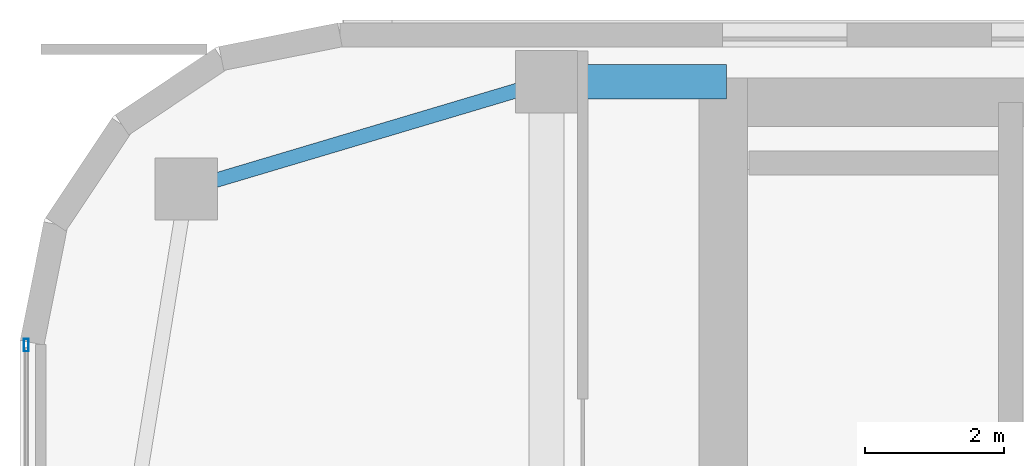
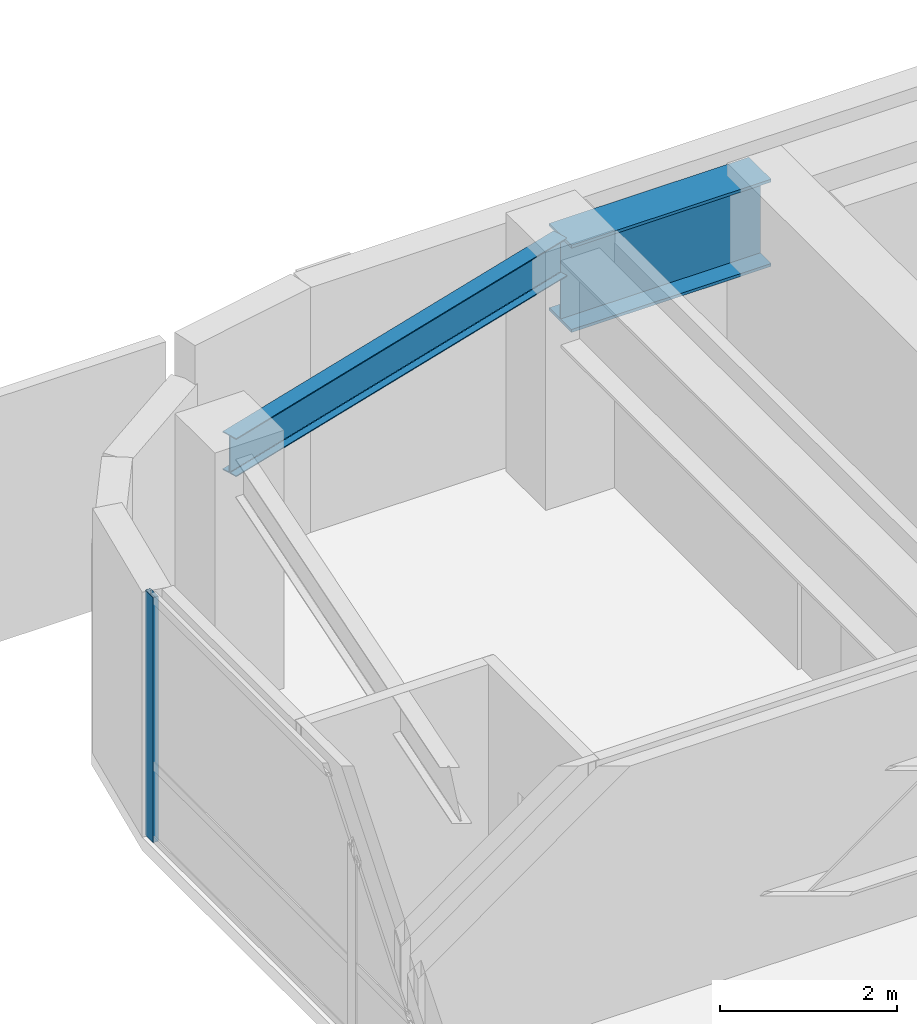
# One storey, part 24 of 37: 2 beams, 1 member, 1 element without a shape of its own.
"""IFC4 building model written with IfcOpenShell, lengths in metres."""

from ifc_helpers import new_model, si_unit, direction, frame, origin, origin_2d, place, context, subcontext, project, spatial, hollow_rectangle, i_section, extrude, source, transform, mapped, material, layer, layer_set, material_profile, profile_set, type_object, type_shapes, element, aggregate, save


model = new_model("IFC4")

# Units and contexts
model_context = context("Model", 3, precision=1e-05, world=origin(), true_north=direction((0.0, 1.0)))
body_context = subcontext(model_context, "Body", "Model", "MODEL_VIEW")
ifc_project = project(units=[si_unit("LENGTHUNIT", "METRE"), si_unit("AREAUNIT", "SQUARE_METRE"), si_unit("VOLUMEUNIT", "CUBIC_METRE"), si_unit("PLANEANGLEUNIT", "RADIAN"), si_unit("MASSUNIT", "GRAM", prefix="KILO")], contexts=[model_context])

# Site, building, storey
site_placement = place(None, origin())
site = spatial("IfcSite", under=ifc_project, at=site_placement, CompositionType="ELEMENT")
building_placement = place(site_placement, origin())
building = spatial("IfcBuilding", under=site, at=building_placement, Name="Tolvann Quenvar Hotel", CompositionType="ELEMENT")
storey_placement = place(building_placement, frame((0.0, 0.0, 104.449951171875)))
storey = spatial("IfcBuildingStorey", under=building, at=storey_placement, Name="L26", CompositionType="ELEMENT", Elevation=104.449951171875)

# Beams
ifc_material_1 = material(Name="Steel Grade 350", Category="steel")
ifc_material_profile_1 = material_profile(ifc_material_1, i_section(OverallWidth=0.208984375, OverallDepth=0.528076171875, WebThickness=0.009521484375, FlangeThickness=0.01318359375, FilletRadius=0.013916015625, at=origin_2d()), Name="530UB82")
ifc_profile_set_1 = profile_set([ifc_material_profile_1], Name="Steel Grade 350")
beam_type_1 = type_object("IfcBeamType", Name="BM_SPAND_530UB82", PredefinedType="SPANDREL", material=ifc_profile_set_1)
shared_shape_1 = source(origin(), body_context, "Body", "SweptSolid", [
    extrude(i_section(OverallWidth=0.208984375, OverallDepth=0.528076171875, WebThickness=0.009521484375, FlangeThickness=0.01318359375, FilletRadius=0.013916015625, at=origin_2d()), origin(), (0.0, 0.0, 1.0), 5.42626953125),
])
type_shapes(beam_type_1, [shared_shape_1])
beam_1_placement = place(storey_placement, frame((2.39990234375, 43.60009765625, 3.10595703125), z_axis=(0.958344815522, 0.285613750654, 0.0), x_axis=(-0.285613750654, 0.958344815522, 0.0)))
element("IfcBeam", 1, at=beam_1_placement, inside=storey, type_object=beam_type_1, Name="BM-L26-FLK-W3", PredefinedType="SPANDREL", context=body_context, shape_type="MappedRepresentation", body=[
    mapped(shared_shape_1, transform((0.0, 0.0, 0.0), x_axis=(1.0, 0.0, 0.0), y_axis=(0.0, 1.0, 0.0), z_axis=(0.0, 0.0, 1.0), scale=1.0)),
])
ifc_material_profile_2 = material_profile(ifc_material_1, i_section(OverallWidth=0.5, OverallDepth=1.199951171875, WebThickness=0.01611328125, FlangeThickness=0.0400390625, at=origin_2d()), Name="1200WB455")
ifc_profile_set_2 = profile_set([ifc_material_profile_2], Name="Steel Grade 350")
beam_type_2 = type_object("IfcBeamType", Name="BM_TG_1200WB455", PredefinedType="USERDEFINED", material=ifc_profile_set_2)
shared_shape_2 = source(origin(), body_context, "Body", "SweptSolid", [
    extrude(i_section(OverallWidth=0.5, OverallDepth=1.199951171875, WebThickness=0.01611328125, FlangeThickness=0.0400390625, at=origin_2d()), origin(), (0.0, 0.0, 1.0), 2.599853515625),
])
type_shapes(beam_type_2, [shared_shape_2])
beam_2_placement = place(storey_placement, frame((7.60009765625, 45.14990234375, 2.77001953125), z_axis=(1.0, 0.0, 0.0), x_axis=(0.0, 1.0, 0.0)))
element("IfcBeam", 2, at=beam_2_placement, inside=storey, type_object=beam_type_2, Name="BM-L26-CTW-CN", ObjectType="TRANSFER GIRDER", PredefinedType="USERDEFINED", context=body_context, shape_type="MappedRepresentation", body=[
    mapped(shared_shape_2, transform((0.0, 0.0, 0.0), x_axis=(1.0, 0.0, 0.0), y_axis=(0.0, 1.0, 0.0), z_axis=(0.0, 0.0, 1.0), scale=1.0)),
])

# Curtain wall, member
ifc_material_2 = material(Name="Thermally broken anodised architectural aluminium 6063-T6 and laminated low-E glass", Category="aluminium")
ifc_layer = layer(ifc_material_2, 0.179931640625)
ifc_layer_set = layer_set([ifc_layer], Name="Thermally broken anodised architectural aluminium 6063-T6 and laminated low-E glass")
curtain_wall_type = type_object("IfcCurtainWallType", Name="CW_SYS_BAND_04", PredefinedType="USERDEFINED", material=ifc_layer_set)
curtain_wall_placement = place(storey_placement, origin())
curtain_wall = element("IfcCurtainWall", 3, at=curtain_wall_placement, inside=storey, type_object=curtain_wall_type, Name="Curtain Wall CW-BAND-04 (CWR-L26-E23)", ObjectType="UNITISED CURTAIN WALL", PredefinedType="USERDEFINED")
ifc_material_3 = material(Name="Anodised architectural aluminium 6063-T6 framing", Category="aluminium")
ifc_material_profile_3 = material_profile(ifc_material_3, hollow_rectangle(XDim=0.070068359375, YDim=0.179931640625, WallThickness=0.00390625, at=origin_2d()), Name="180x70x4RHS")
ifc_profile_set_3 = profile_set([ifc_material_profile_3], Name="Anodised architectural aluminium 6063-T6 framing")
member_type = type_object("IfcMemberType", Name="CW_MULL_180x70", PredefinedType="MULLION", material=ifc_profile_set_3)
shared_shape_3 = source(origin(), body_context, "Body", "SweptSolid", [
    extrude(hollow_rectangle(XDim=0.070068359375, YDim=0.179931640625, WallThickness=0.00390625, at=origin_2d()), origin(), (0.0, 0.0, 1.0), 3.3701171875),
])
type_shapes(member_type, [shared_shape_3])
member_placement = place(storey_placement, frame((0.090087890625, 41.347900390625, 0.0), z_axis=(0.0, 0.0, 1.0), x_axis=(1.0, 0.0, 0.0)))
member = element("IfcMember", 4, at=member_placement, type_object=member_type, Name="CW-BAND-04 mullion 1", PredefinedType="MULLION", context=body_context, shape_type="MappedRepresentation", body=[
    mapped(shared_shape_3, transform((0.0, 0.0, 0.0), x_axis=(1.0, 0.0, 0.0), y_axis=(0.0, 1.0, 0.0), z_axis=(0.0, 0.0, 1.0), scale=1.0)),
])
aggregate(curtain_wall, [member])

save(model, "model.ifc")
